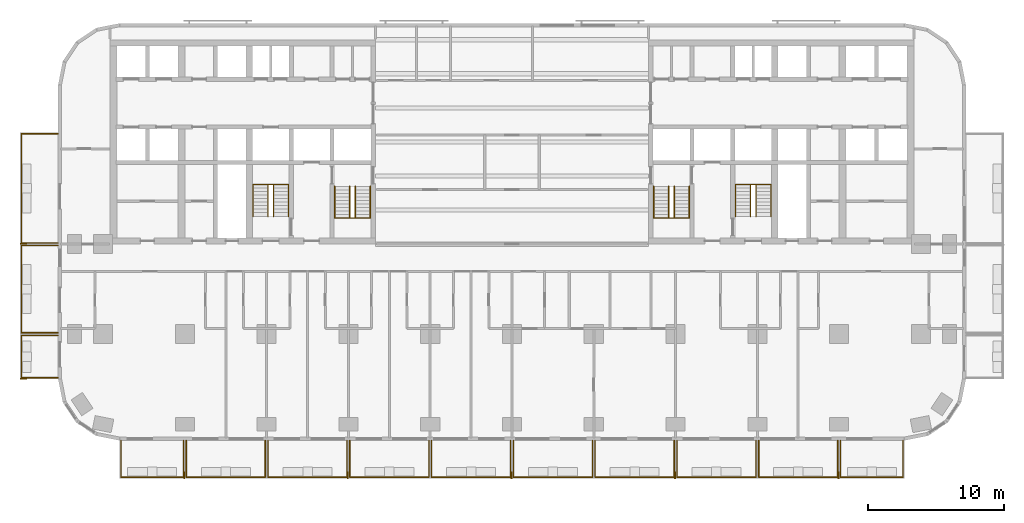
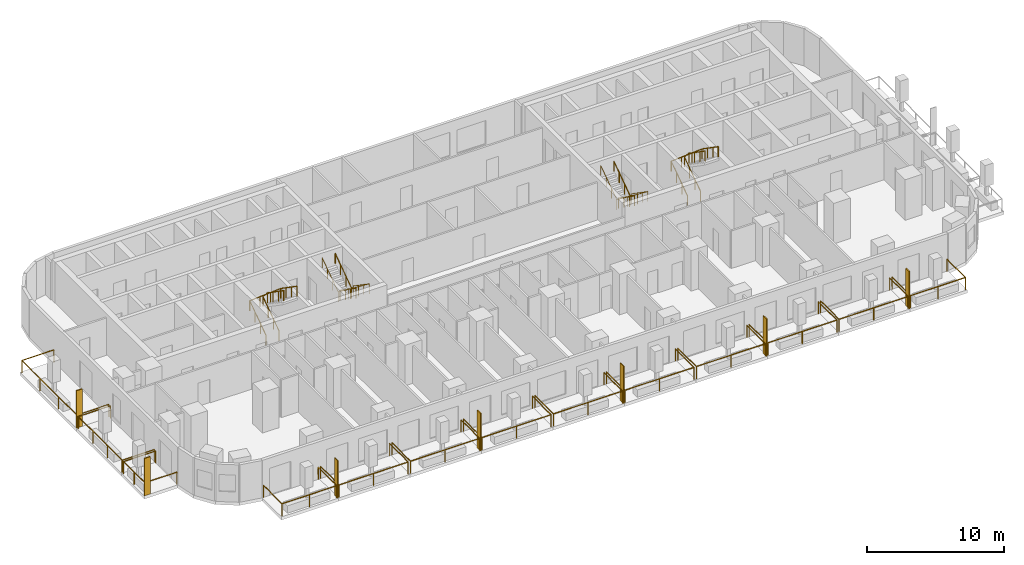
# One storey, part 12 of 14: 21 railings, 7 shading devices.
"""IFC4 building model written with IfcOpenShell, lengths in metres."""

from ifc_helpers import new_model, si_unit, direction, frame, origin, origin_2d, place, context, subcontext, project, spatial, rectangle, circle, extrude, material, layer, layer_set, type_object, element, save


model = new_model("IFC4")

# Units and contexts
model_context = context("Model", 3, precision=1e-05, world=origin(), true_north=direction((0.0, 1.0)))
body_context = subcontext(model_context, "Body", "Model", "MODEL_VIEW")
ifc_project = project(units=[si_unit("LENGTHUNIT", "METRE"), si_unit("AREAUNIT", "SQUARE_METRE"), si_unit("VOLUMEUNIT", "CUBIC_METRE"), si_unit("PLANEANGLEUNIT", "RADIAN"), si_unit("MASSUNIT", "GRAM", prefix="KILO")], contexts=[model_context])

# Site, building, storey
site_placement = place(None, origin())
site = spatial("IfcSite", under=ifc_project, at=site_placement, CompositionType="ELEMENT")
building_placement = place(site_placement, origin())
building = spatial("IfcBuilding", under=site, at=building_placement, Name="Torana Hotel and Residences", CompositionType="ELEMENT")
storey_placement = place(building_placement, frame((0.0, 0.0, 63.60009765625)))
storey = spatial("IfcBuildingStorey", under=building, at=storey_placement, Name="L15", CompositionType="ELEMENT", Elevation=63.60009765625)

# Shading devices
ifc_material_1 = material(Name="Black powder coated aluminium", Category="aluminium")
ifc_layer = layer(ifc_material_1, 0.080078125)
ifc_layer_set = layer_set([ifc_layer], Name="FN1 VERTICAL FIN 500x80")
shading_device_type = type_object("IfcShadingDeviceType", Name="FN1 VERTICAL FIN 500x80", PredefinedType="USERDEFINED", material=ifc_layer_set)
for number, where, z_axis, x_axis, name in (
    (1, (-24.0400390625, -31.949951171875, 0.0), (0.0, 0.0, 1.0), (-1.0, 0.0, 0.0), "Fin 01"),
    (2, (-12.0400390625, -31.949951171875, 0.0), (0.0, 0.0, 1.0), (-1.0, 0.0, 0.0), "Fin 03"),
    (3, (-0.0400390625, -31.949951171875, 0.0), (0.0, 0.0, 1.0), (-1.0, 0.0, 0.0), "Fin 05"),
    (4, (11.9599609375, -31.949951171875, 0.0), (0.0, 0.0, 1.0), (-1.0, 0.0, 0.0), "Fin 07"),
    (5, (23.9599609375, -31.949951171875, 0.0), (0.0, 0.0, 1.0), (-1.0, 0.0, 0.0), "Fin 09"),
    (6, (-35.85009765625, -24.860107421875, 0.0), (0.0, 0.0, 1.0), (0.0, 1.0, 0.0), "Fin 11"),
    (7, (-35.85009765625, -14.9599609375, 0.0), (0.0, 0.0, 1.0), (0.0, 1.0, 0.0), "Fin 13"),
):
    element("IfcShadingDevice", number, at=place(storey_placement, frame(where, z_axis=z_axis, x_axis=x_axis)), inside=storey, type_object=shading_device_type, Name=name, ObjectType="FIN", PredefinedType="USERDEFINED", context=body_context, shape_type="SweptSolid", body=[
        extrude(rectangle(XDim=0.080078125, YDim=0.5, at=origin_2d()), origin(), (0.0, 0.0, 1.0), 3.320068359375),
    ])

# Railings
ifc_material_2 = material(Name="Laminated glass balustrade with black handrail", Category="glass")
railing_type_1 = type_object("IfcRailingType", Name="GR1 BALCONY GUARD 1100 GLASS", PredefinedType="GUARDRAIL", material=ifc_material_2)
railing_1_placement = place(storey_placement, frame((-24.10009765625, -29.39990234375, 0.0)))
element("IfcRailing", 8, at=railing_1_placement, inside=storey, type_object=railing_type_1, Name="Balcony guard 01", PredefinedType="GUARDRAIL", context=body_context, shape_type="SweptSolid", body=[
    extrude(circle(Radius=0.02392578125, at=origin_2d()), frame((0.0, 0.0, 1.076171875), z_axis=(0.0, -1.0, 0.0), x_axis=(1.0, 0.0, 0.0)), (0.0, 0.0, 1.0), 2.7001953125),
    extrude(circle(Radius=0.02392578125, at=origin_2d()), frame((0.0, -2.7001953125, 1.076171875), z_axis=(-1.0, 0.0, 0.0), x_axis=(0.0, -1.0, 0.0)), (0.0, 0.0, 1.0), 4.599853515625),
    extrude(circle(Radius=0.02392578125, at=origin_2d()), frame((-4.599853515625, -2.7001953125, 1.076171875), z_axis=(0.0, 1.0, 0.0), x_axis=(-1.0, 0.0, 0.0)), (0.0, 0.0, 1.0), 2.7001953125),
    extrude(circle(Radius=0.02099609375, at=origin_2d()), origin(), (0.0, 0.0, 1.0), 1.052001953125),
    extrude(circle(Radius=0.02099609375, at=origin_2d()), frame((0.0, -2.7001953125, 0.0)), (0.0, 0.0, 1.0), 1.052001953125),
    extrude(circle(Radius=0.02099609375, at=origin_2d()), frame((-2.2998046875, -2.7001953125, 0.0)), (0.0, 0.0, 1.0), 1.052001953125),
    extrude(circle(Radius=0.02099609375, at=origin_2d()), frame((-4.599853515625, -2.7001953125, 0.0)), (0.0, 0.0, 1.0), 1.052001953125),
    extrude(circle(Radius=0.02099609375, at=origin_2d()), frame((-4.599853515625, 0.0, 0.0)), (0.0, 0.0, 1.0), 1.052001953125),
])
for number, where, name in (
    (9, (-18.10009765625, -29.39990234375, 0.0), "Balcony guard 02"),
    (10, (-12.10009765625, -29.39990234375, 0.0), "Balcony guard 03"),
    (11, (-6.10009765625, -29.39990234375, 0.0), "Balcony guard 04"),
    (12, (-0.10009765625, -29.39990234375, 0.0), "Balcony guard 05"),
    (13, (5.89990234375, -29.39990234375, 0.0), "Balcony guard 06"),
    (14, (11.89990234375, -29.39990234375, 0.0), "Balcony guard 07"),
    (15, (17.89990234375, -29.39990234375, 0.0), "Balcony guard 08"),
    (16, (23.89990234375, -29.39990234375, 0.0), "Balcony guard 09"),
):
    element("IfcRailing", number, at=place(storey_placement, frame(where)), inside=storey, type_object=railing_type_1, Name=name, PredefinedType="GUARDRAIL", context=body_context, shape_type="SweptSolid", body=[
        extrude(circle(Radius=0.02392578125, at=origin_2d()), frame((0.0, 0.0, 1.076171875), z_axis=(0.0, -1.0, 0.0), x_axis=(1.0, 0.0, 0.0)), (0.0, 0.0, 1.0), 2.7001953125),
        extrude(circle(Radius=0.02392578125, at=origin_2d()), frame((0.0, -2.7001953125, 1.076171875), z_axis=(-1.0, 0.0, 0.0), x_axis=(0.0, -1.0, 0.0)), (0.0, 0.0, 1.0), 5.7998046875),
        extrude(circle(Radius=0.02392578125, at=origin_2d()), frame((-5.7998046875, -2.7001953125, 1.076171875), z_axis=(0.0, 1.0, 0.0), x_axis=(-1.0, 0.0, 0.0)), (0.0, 0.0, 1.0), 2.7001953125),
        extrude(circle(Radius=0.02099609375, at=origin_2d()), origin(), (0.0, 0.0, 1.0), 1.052001953125),
        extrude(circle(Radius=0.02099609375, at=origin_2d()), frame((0.0, -2.7001953125, 0.0)), (0.0, 0.0, 1.0), 1.052001953125),
        extrude(circle(Radius=0.02099609375, at=origin_2d()), frame((-2.89990234375, -2.7001953125, 0.0)), (0.0, 0.0, 1.0), 1.052001953125),
        extrude(circle(Radius=0.02099609375, at=origin_2d()), frame((-5.7998046875, -2.7001953125, 0.0)), (0.0, 0.0, 1.0), 1.052001953125),
        extrude(circle(Radius=0.02099609375, at=origin_2d()), frame((-5.7998046875, 0.0, 0.0)), (0.0, 0.0, 1.0), 1.052001953125),
    ])
railing_2_placement = place(storey_placement, frame((28.699951171875, -29.39990234375, 0.0)))
element("IfcRailing", 17, at=railing_2_placement, inside=storey, type_object=railing_type_1, Name="Balcony guard 10", PredefinedType="GUARDRAIL", context=body_context, shape_type="SweptSolid", body=[
    extrude(circle(Radius=0.02392578125, at=origin_2d()), frame((0.0, 0.0, 1.076171875), z_axis=(0.0, -1.0, 0.0), x_axis=(1.0, 0.0, 0.0)), (0.0, 0.0, 1.0), 2.7001953125),
    extrude(circle(Radius=0.02392578125, at=origin_2d()), frame((0.0, -2.7001953125, 1.076171875), z_axis=(-1.0, 0.0, 0.0), x_axis=(0.0, -1.0, 0.0)), (0.0, 0.0, 1.0), 4.599853515625),
    extrude(circle(Radius=0.02392578125, at=origin_2d()), frame((-4.599853515625, -2.7001953125, 1.076171875), z_axis=(0.0, 1.0, 0.0), x_axis=(-1.0, 0.0, 0.0)), (0.0, 0.0, 1.0), 2.7001953125),
    extrude(circle(Radius=0.02099609375, at=origin_2d()), origin(), (0.0, 0.0, 1.0), 1.052001953125),
    extrude(circle(Radius=0.02099609375, at=origin_2d()), frame((0.0, -2.7001953125, 0.0)), (0.0, 0.0, 1.0), 1.052001953125),
    extrude(circle(Radius=0.02099609375, at=origin_2d()), frame((-2.2998046875, -2.7001953125, 0.0)), (0.0, 0.0, 1.0), 1.052001953125),
    extrude(circle(Radius=0.02099609375, at=origin_2d()), frame((-4.599853515625, -2.7001953125, 0.0)), (0.0, 0.0, 1.0), 1.052001953125),
    extrude(circle(Radius=0.02099609375, at=origin_2d()), frame((-4.599853515625, 0.0, 0.0)), (0.0, 0.0, 1.0), 1.052001953125),
])
railing_3_placement = place(storey_placement, frame((-33.300048828125, -24.800048828125, 0.0)))
element("IfcRailing", 18, at=railing_3_placement, inside=storey, type_object=railing_type_1, Name="Balcony guard 11", PredefinedType="GUARDRAIL", context=body_context, shape_type="SweptSolid", body=[
    extrude(circle(Radius=0.02392578125, at=origin_2d()), frame((0.0, 0.0, 1.076171875), z_axis=(-1.0, 0.0, 0.0), x_axis=(0.0, -1.0, 0.0)), (0.0, 0.0, 1.0), 2.699951171875),
    extrude(circle(Radius=0.02392578125, at=origin_2d()), frame((-2.699951171875, 0.0, 1.076171875), z_axis=(0.0, 1.0, 0.0), x_axis=(-1.0, 0.0, 0.0)), (0.0, 0.0, 1.0), 3.10009765625),
    extrude(circle(Radius=0.02392578125, at=origin_2d()), frame((-2.699951171875, 3.10009765625, 1.076171875), z_axis=(1.0, 0.0, 0.0), x_axis=(0.0, 1.0, 0.0)), (0.0, 0.0, 1.0), 2.699951171875),
    extrude(circle(Radius=0.02099609375, at=origin_2d()), origin(), (0.0, 0.0, 1.0), 1.052001953125),
    extrude(circle(Radius=0.02099609375, at=origin_2d()), frame((-2.699951171875, 0.0, 0.0)), (0.0, 0.0, 1.0), 1.052001953125),
    extrude(circle(Radius=0.02099609375, at=origin_2d()), frame((-2.699951171875, 1.550048828125, 0.0)), (0.0, 0.0, 1.0), 1.052001953125),
    extrude(circle(Radius=0.02099609375, at=origin_2d()), frame((-2.699951171875, 3.10009765625, 0.0)), (0.0, 0.0, 1.0), 1.052001953125),
    extrude(circle(Radius=0.02099609375, at=origin_2d()), frame((0.0, 3.10009765625, 0.0)), (0.0, 0.0, 1.0), 1.052001953125),
])
railing_4_placement = place(storey_placement, frame((-33.300048828125, -21.5, 0.0)))
element("IfcRailing", 19, at=railing_4_placement, inside=storey, type_object=railing_type_1, Name="Balcony guard 12", PredefinedType="GUARDRAIL", context=body_context, shape_type="SweptSolid", body=[
    extrude(circle(Radius=0.02392578125, at=origin_2d()), frame((0.0, 0.0, 1.076171875), z_axis=(-1.0, 0.0, 0.0), x_axis=(0.0, -1.0, 0.0)), (0.0, 0.0, 1.0), 2.699951171875),
    extrude(circle(Radius=0.02392578125, at=origin_2d()), frame((-2.699951171875, 0.0, 1.076171875), z_axis=(0.0, 1.0, 0.0), x_axis=(-1.0, 0.0, 0.0)), (0.0, 0.0, 1.0), 6.39990234375),
    extrude(circle(Radius=0.02392578125, at=origin_2d()), frame((-2.699951171875, 6.39990234375, 1.076171875), z_axis=(1.0, 0.0, 0.0), x_axis=(0.0, 1.0, 0.0)), (0.0, 0.0, 1.0), 2.699951171875),
    extrude(circle(Radius=0.02099609375, at=origin_2d()), origin(), (0.0, 0.0, 1.0), 1.052001953125),
    extrude(circle(Radius=0.02099609375, at=origin_2d()), frame((-2.699951171875, 0.0, 0.0)), (0.0, 0.0, 1.0), 1.052001953125),
    extrude(circle(Radius=0.02099609375, at=origin_2d()), frame((-2.699951171875, 2.13330078125, 0.0)), (0.0, 0.0, 1.0), 1.052001953125),
    extrude(circle(Radius=0.02099609375, at=origin_2d()), frame((-2.699951171875, 4.2666015625, 0.0)), (0.0, 0.0, 1.0), 1.052001953125),
    extrude(circle(Radius=0.02099609375, at=origin_2d()), frame((-2.699951171875, 6.39990234375, 0.0)), (0.0, 0.0, 1.0), 1.052001953125),
    extrude(circle(Radius=0.02099609375, at=origin_2d()), frame((0.0, 6.39990234375, 0.0)), (0.0, 0.0, 1.0), 1.052001953125),
])
railing_5_placement = place(storey_placement, frame((-33.300048828125, -14.89990234375, 0.0)))
element("IfcRailing", 20, at=railing_5_placement, inside=storey, type_object=railing_type_1, Name="Balcony guard 13", PredefinedType="GUARDRAIL", context=body_context, shape_type="SweptSolid", body=[
    extrude(circle(Radius=0.02392578125, at=origin_2d()), frame((0.0, 0.0, 1.076171875), z_axis=(-1.0, 0.0, 0.0), x_axis=(0.0, -1.0, 0.0)), (0.0, 0.0, 1.0), 2.699951171875),
    extrude(circle(Radius=0.02392578125, at=origin_2d()), frame((-2.699951171875, 0.0, 1.076171875), z_axis=(0.0, 1.0, 0.0), x_axis=(-1.0, 0.0, 0.0)), (0.0, 0.0, 1.0), 8.0),
    extrude(circle(Radius=0.02392578125, at=origin_2d()), frame((-2.699951171875, 8.0, 1.076171875), z_axis=(1.0, 0.0, 0.0), x_axis=(0.0, 1.0, 0.0)), (0.0, 0.0, 1.0), 2.699951171875),
    extrude(circle(Radius=0.02099609375, at=origin_2d()), origin(), (0.0, 0.0, 1.0), 1.052001953125),
    extrude(circle(Radius=0.02099609375, at=origin_2d()), frame((-2.699951171875, 0.0, 0.0)), (0.0, 0.0, 1.0), 1.052001953125),
    extrude(circle(Radius=0.02099609375, at=origin_2d()), frame((-2.699951171875, 2.666748046875, 0.0)), (0.0, 0.0, 1.0), 1.052001953125),
    extrude(circle(Radius=0.02099609375, at=origin_2d()), frame((-2.699951171875, 5.333251953125, 0.0)), (0.0, 0.0, 1.0), 1.052001953125),
    extrude(circle(Radius=0.02099609375, at=origin_2d()), frame((-2.699951171875, 8.0, 0.0)), (0.0, 0.0, 1.0), 1.052001953125),
    extrude(circle(Radius=0.02099609375, at=origin_2d()), frame((0.0, 8.0, 0.0)), (0.0, 0.0, 1.0), 1.052001953125),
])
ifc_material_3 = material(Name="Stainless steel 316", Category="steel")
railing_type_2 = type_object("IfcRailingType", Name="STAIR HANDRAIL HR1 900", PredefinedType="HANDRAIL", material=ifc_material_3)
railing_6_placement = place(storey_placement, frame((-10.39990234375, -10.75, 0.179931640625)))
element("IfcRailing", 21, at=railing_6_placement, inside=storey, type_object=railing_type_2, Name="Handrail ST1 L15 O1", PredefinedType="HANDRAIL", context=body_context, shape_type="SweptSolid", body=[
    extrude(circle(Radius=0.02392578125, at=origin_2d()), frame((0.0, 0.0, 0.8759765625), z_axis=(0.0, -0.822223072051, 0.569165371211), x_axis=(1.0, 0.0, 0.0)), (0.0, 0.0, 1.0), 2.845947265625),
    extrude(circle(Radius=0.02392578125, at=origin_2d()), frame((0.0, -2.340087890625, 2.49560546875), z_axis=(-0.997607660209, 0.0, 0.069129995609), x_axis=(0.0, -1.0, 0.0)), (0.0, 0.0, 1.0), 2.6064453125),
    extrude(circle(Radius=0.02392578125, at=origin_2d()), frame((-2.60009765625, -2.340087890625, 2.67578125), z_axis=(0.0, 0.822223072051, 0.569165371211), x_axis=(-1.0, 0.0, 0.0)), (0.0, 0.0, 1.0), 2.845947265625),
    extrude(circle(Radius=0.02099609375, at=origin_2d()), origin(), (0.0, 0.0, 1.0), 0.851806640625),
    extrude(circle(Radius=0.02099609375, at=origin_2d()), frame((0.0, -0.780029296875, 0.5400390625)), (0.0, 0.0, 1.0), 0.851806640625),
    extrude(circle(Radius=0.02099609375, at=origin_2d()), frame((0.0, -1.56005859375, 1.079833984375)), (0.0, 0.0, 1.0), 0.851806640625),
    extrude(circle(Radius=0.02099609375, at=origin_2d()), frame((0.0, -2.340087890625, 1.619873046875)), (0.0, 0.0, 1.0), 0.851806640625),
    extrude(circle(Radius=0.02099609375, at=origin_2d()), frame((-0.86669921875, -2.340087890625, 1.679931640625)), (0.0, 0.0, 1.0), 0.851806640625),
    extrude(circle(Radius=0.02099609375, at=origin_2d()), frame((-1.7333984375, -2.340087890625, 1.739990234375)), (0.0, 0.0, 1.0), 0.851806640625),
    extrude(circle(Radius=0.02099609375, at=origin_2d()), frame((-2.60009765625, -2.340087890625, 1.800048828125)), (0.0, 0.0, 1.0), 0.851806640625),
    extrude(circle(Radius=0.02099609375, at=origin_2d()), frame((-2.60009765625, -1.56005859375, 2.340087890625)), (0.0, 0.0, 1.0), 0.851806640625),
    extrude(circle(Radius=0.02099609375, at=origin_2d()), frame((-2.60009765625, -0.780029296875, 2.8798828125)), (0.0, 0.0, 1.0), 0.851806640625),
    extrude(circle(Radius=0.02099609375, at=origin_2d()), frame((-2.60009765625, 0.0, 3.419921875)), (0.0, 0.0, 1.0), 0.851806640625),
])
railing_7_placement = place(storey_placement, frame((-11.5, -10.75, 0.179931640625)))
element("IfcRailing", 22, at=railing_7_placement, inside=storey, type_object=railing_type_2, Name="Handrail ST1 L15 I1", PredefinedType="HANDRAIL", context=body_context, shape_type="SweptSolid", body=[
    extrude(circle(Radius=0.02392578125, at=origin_2d()), frame((0.0, 0.0, 0.8759765625), z_axis=(0.0, -0.822223072051, 0.569165371211), x_axis=(1.0, 0.0, 0.0)), (0.0, 0.0, 1.0), 2.845947265625),
    extrude(circle(Radius=0.02392578125, at=origin_2d()), frame((0.0, -2.340087890625, 2.49560546875), z_axis=(-0.911733943306, 0.0, 0.410781227204), x_axis=(0.0, -1.0, 0.0)), (0.0, 0.0, 1.0), 0.438720703125),
    extrude(circle(Radius=0.02392578125, at=origin_2d()), frame((-0.39990234375, -2.340087890625, 2.67578125), z_axis=(0.0, 0.822223072051, 0.569165371211), x_axis=(-1.0, 0.0, 0.0)), (0.0, 0.0, 1.0), 2.845947265625),
    extrude(circle(Radius=0.02099609375, at=origin_2d()), origin(), (0.0, 0.0, 1.0), 0.851806640625),
    extrude(circle(Radius=0.02099609375, at=origin_2d()), frame((0.0, -0.780029296875, 0.5400390625)), (0.0, 0.0, 1.0), 0.851806640625),
    extrude(circle(Radius=0.02099609375, at=origin_2d()), frame((0.0, -1.56005859375, 1.079833984375)), (0.0, 0.0, 1.0), 0.851806640625),
    extrude(circle(Radius=0.02099609375, at=origin_2d()), frame((0.0, -2.340087890625, 1.619873046875)), (0.0, 0.0, 1.0), 0.851806640625),
    extrude(circle(Radius=0.02099609375, at=origin_2d()), frame((-0.39990234375, -2.340087890625, 1.800048828125)), (0.0, 0.0, 1.0), 0.851806640625),
    extrude(circle(Radius=0.02099609375, at=origin_2d()), frame((-0.39990234375, -1.56005859375, 2.340087890625)), (0.0, 0.0, 1.0), 0.851806640625),
    extrude(circle(Radius=0.02099609375, at=origin_2d()), frame((-0.39990234375, -0.780029296875, 2.8798828125)), (0.0, 0.0, 1.0), 0.851806640625),
    extrude(circle(Radius=0.02099609375, at=origin_2d()), frame((-0.39990234375, 0.0, 3.419921875)), (0.0, 0.0, 1.0), 0.851806640625),
])
railing_8_placement = place(storey_placement, frame((-19.0, -12.949951171875, 0.179931640625)))
element("IfcRailing", 23, at=railing_8_placement, inside=storey, type_object=railing_type_2, Name="Handrail ST2 L15 O1", PredefinedType="HANDRAIL", context=body_context, shape_type="SweptSolid", body=[
    extrude(circle(Radius=0.02392578125, at=origin_2d()), frame((0.0, 0.0, 0.8759765625), z_axis=(0.0, 0.822195280011, 0.569205517829), x_axis=(-1.0, 0.0, 0.0)), (0.0, 0.0, 1.0), 2.845947265625),
    extrude(circle(Radius=0.02392578125, at=origin_2d()), frame((0.0, 2.33984375, 2.49560546875), z_axis=(0.997607660209, 0.0, 0.069129995609), x_axis=(0.0, 1.0, 0.0)), (0.0, 0.0, 1.0), 2.6064453125),
    extrude(circle(Radius=0.02392578125, at=origin_2d()), frame((2.60009765625, 2.33984375, 2.67578125), z_axis=(0.0, -0.822195280011, 0.569205517829), x_axis=(1.0, 0.0, 0.0)), (0.0, 0.0, 1.0), 2.845947265625),
    extrude(circle(Radius=0.02099609375, at=origin_2d()), origin(), (0.0, 0.0, 1.0), 0.851806640625),
    extrude(circle(Radius=0.02099609375, at=origin_2d()), frame((0.0, 0.780029296875, 0.5400390625)), (0.0, 0.0, 1.0), 0.851806640625),
    extrude(circle(Radius=0.02099609375, at=origin_2d()), frame((0.0, 1.559814453125, 1.079833984375)), (0.0, 0.0, 1.0), 0.851806640625),
    extrude(circle(Radius=0.02099609375, at=origin_2d()), frame((0.0, 2.33984375, 1.619873046875)), (0.0, 0.0, 1.0), 0.851806640625),
    extrude(circle(Radius=0.02099609375, at=origin_2d()), frame((0.86669921875, 2.33984375, 1.679931640625)), (0.0, 0.0, 1.0), 0.851806640625),
    extrude(circle(Radius=0.02099609375, at=origin_2d()), frame((1.7333984375, 2.33984375, 1.739990234375)), (0.0, 0.0, 1.0), 0.851806640625),
    extrude(circle(Radius=0.02099609375, at=origin_2d()), frame((2.60009765625, 2.33984375, 1.800048828125)), (0.0, 0.0, 1.0), 0.851806640625),
    extrude(circle(Radius=0.02099609375, at=origin_2d()), frame((2.60009765625, 1.559814453125, 2.340087890625)), (0.0, 0.0, 1.0), 0.851806640625),
    extrude(circle(Radius=0.02099609375, at=origin_2d()), frame((2.60009765625, 0.780029296875, 2.8798828125)), (0.0, 0.0, 1.0), 0.851806640625),
    extrude(circle(Radius=0.02099609375, at=origin_2d()), frame((2.60009765625, 0.0, 3.419921875)), (0.0, 0.0, 1.0), 0.851806640625),
])
railing_9_placement = place(storey_placement, frame((-17.89990234375, -12.949951171875, 0.179931640625)))
element("IfcRailing", 24, at=railing_9_placement, inside=storey, type_object=railing_type_2, Name="Handrail ST2 L15 I1", PredefinedType="HANDRAIL", context=body_context, shape_type="SweptSolid", body=[
    extrude(circle(Radius=0.02392578125, at=origin_2d()), frame((0.0, 0.0, 0.8759765625), z_axis=(0.0, 0.822195280011, 0.569205517829), x_axis=(-1.0, 0.0, 0.0)), (0.0, 0.0, 1.0), 2.845947265625),
    extrude(circle(Radius=0.02392578125, at=origin_2d()), frame((0.0, 2.33984375, 2.49560546875), z_axis=(0.911733943306, 0.0, 0.410781227204), x_axis=(0.0, 1.0, 0.0)), (0.0, 0.0, 1.0), 0.438720703125),
    extrude(circle(Radius=0.02392578125, at=origin_2d()), frame((0.39990234375, 2.33984375, 2.67578125), z_axis=(0.0, -0.822195280011, 0.569205517829), x_axis=(1.0, 0.0, 0.0)), (0.0, 0.0, 1.0), 2.845947265625),
    extrude(circle(Radius=0.02099609375, at=origin_2d()), origin(), (0.0, 0.0, 1.0), 0.851806640625),
    extrude(circle(Radius=0.02099609375, at=origin_2d()), frame((0.0, 0.780029296875, 0.5400390625)), (0.0, 0.0, 1.0), 0.851806640625),
    extrude(circle(Radius=0.02099609375, at=origin_2d()), frame((0.0, 1.559814453125, 1.079833984375)), (0.0, 0.0, 1.0), 0.851806640625),
    extrude(circle(Radius=0.02099609375, at=origin_2d()), frame((0.0, 2.33984375, 1.619873046875)), (0.0, 0.0, 1.0), 0.851806640625),
    extrude(circle(Radius=0.02099609375, at=origin_2d()), frame((0.39990234375, 2.33984375, 1.800048828125)), (0.0, 0.0, 1.0), 0.851806640625),
    extrude(circle(Radius=0.02099609375, at=origin_2d()), frame((0.39990234375, 1.559814453125, 2.340087890625)), (0.0, 0.0, 1.0), 0.851806640625),
    extrude(circle(Radius=0.02099609375, at=origin_2d()), frame((0.39990234375, 0.780029296875, 2.8798828125)), (0.0, 0.0, 1.0), 0.851806640625),
    extrude(circle(Radius=0.02099609375, at=origin_2d()), frame((0.39990234375, 0.0, 3.419921875)), (0.0, 0.0, 1.0), 0.851806640625),
])
railing_10_placement = place(storey_placement, frame((13.0, -10.75, 0.179931640625)))
element("IfcRailing", 25, at=railing_10_placement, inside=storey, type_object=railing_type_2, Name="Handrail ST3 L15 O1", PredefinedType="HANDRAIL", context=body_context, shape_type="SweptSolid", body=[
    extrude(circle(Radius=0.02392578125, at=origin_2d()), frame((0.0, 0.0, 0.8759765625), z_axis=(0.0, -0.822223072051, 0.569165371211), x_axis=(1.0, 0.0, 0.0)), (0.0, 0.0, 1.0), 2.845947265625),
    extrude(circle(Radius=0.02392578125, at=origin_2d()), frame((0.0, -2.340087890625, 2.49560546875), z_axis=(-0.997607660209, 0.0, 0.069129995609), x_axis=(0.0, -1.0, 0.0)), (0.0, 0.0, 1.0), 2.6064453125),
    extrude(circle(Radius=0.02392578125, at=origin_2d()), frame((-2.60009765625, -2.340087890625, 2.67578125), z_axis=(0.0, 0.822223072051, 0.569165371211), x_axis=(-1.0, 0.0, 0.0)), (0.0, 0.0, 1.0), 2.845947265625),
    extrude(circle(Radius=0.02099609375, at=origin_2d()), origin(), (0.0, 0.0, 1.0), 0.851806640625),
    extrude(circle(Radius=0.02099609375, at=origin_2d()), frame((0.0, -0.780029296875, 0.5400390625)), (0.0, 0.0, 1.0), 0.851806640625),
    extrude(circle(Radius=0.02099609375, at=origin_2d()), frame((0.0, -1.56005859375, 1.079833984375)), (0.0, 0.0, 1.0), 0.851806640625),
    extrude(circle(Radius=0.02099609375, at=origin_2d()), frame((0.0, -2.340087890625, 1.619873046875)), (0.0, 0.0, 1.0), 0.851806640625),
    extrude(circle(Radius=0.02099609375, at=origin_2d()), frame((-0.86669921875, -2.340087890625, 1.679931640625)), (0.0, 0.0, 1.0), 0.851806640625),
    extrude(circle(Radius=0.02099609375, at=origin_2d()), frame((-1.7333984375, -2.340087890625, 1.739990234375)), (0.0, 0.0, 1.0), 0.851806640625),
    extrude(circle(Radius=0.02099609375, at=origin_2d()), frame((-2.60009765625, -2.340087890625, 1.800048828125)), (0.0, 0.0, 1.0), 0.851806640625),
    extrude(circle(Radius=0.02099609375, at=origin_2d()), frame((-2.60009765625, -1.56005859375, 2.340087890625)), (0.0, 0.0, 1.0), 0.851806640625),
    extrude(circle(Radius=0.02099609375, at=origin_2d()), frame((-2.60009765625, -0.780029296875, 2.8798828125)), (0.0, 0.0, 1.0), 0.851806640625),
    extrude(circle(Radius=0.02099609375, at=origin_2d()), frame((-2.60009765625, 0.0, 3.419921875)), (0.0, 0.0, 1.0), 0.851806640625),
])
railing_11_placement = place(storey_placement, frame((11.89990234375, -10.75, 0.179931640625)))
element("IfcRailing", 26, at=railing_11_placement, inside=storey, type_object=railing_type_2, Name="Handrail ST3 L15 I1", PredefinedType="HANDRAIL", context=body_context, shape_type="SweptSolid", body=[
    extrude(circle(Radius=0.02392578125, at=origin_2d()), frame((0.0, 0.0, 0.8759765625), z_axis=(0.0, -0.822223072051, 0.569165371211), x_axis=(1.0, 0.0, 0.0)), (0.0, 0.0, 1.0), 2.845947265625),
    extrude(circle(Radius=0.02392578125, at=origin_2d()), frame((0.0, -2.340087890625, 2.49560546875), z_axis=(-0.911733943306, 0.0, 0.410781227204), x_axis=(0.0, -1.0, 0.0)), (0.0, 0.0, 1.0), 0.438720703125),
    extrude(circle(Radius=0.02392578125, at=origin_2d()), frame((-0.39990234375, -2.340087890625, 2.67578125), z_axis=(0.0, 0.822223072051, 0.569165371211), x_axis=(-1.0, 0.0, 0.0)), (0.0, 0.0, 1.0), 2.845947265625),
    extrude(circle(Radius=0.02099609375, at=origin_2d()), origin(), (0.0, 0.0, 1.0), 0.851806640625),
    extrude(circle(Radius=0.02099609375, at=origin_2d()), frame((0.0, -0.780029296875, 0.5400390625)), (0.0, 0.0, 1.0), 0.851806640625),
    extrude(circle(Radius=0.02099609375, at=origin_2d()), frame((0.0, -1.56005859375, 1.079833984375)), (0.0, 0.0, 1.0), 0.851806640625),
    extrude(circle(Radius=0.02099609375, at=origin_2d()), frame((0.0, -2.340087890625, 1.619873046875)), (0.0, 0.0, 1.0), 0.851806640625),
    extrude(circle(Radius=0.02099609375, at=origin_2d()), frame((-0.39990234375, -2.340087890625, 1.800048828125)), (0.0, 0.0, 1.0), 0.851806640625),
    extrude(circle(Radius=0.02099609375, at=origin_2d()), frame((-0.39990234375, -1.56005859375, 2.340087890625)), (0.0, 0.0, 1.0), 0.851806640625),
    extrude(circle(Radius=0.02099609375, at=origin_2d()), frame((-0.39990234375, -0.780029296875, 2.8798828125)), (0.0, 0.0, 1.0), 0.851806640625),
    extrude(circle(Radius=0.02099609375, at=origin_2d()), frame((-0.39990234375, 0.0, 3.419921875)), (0.0, 0.0, 1.0), 0.851806640625),
])
railing_12_placement = place(storey_placement, frame((16.39990234375, -12.949951171875, 0.179931640625)))
element("IfcRailing", 27, at=railing_12_placement, inside=storey, type_object=railing_type_2, Name="Handrail ST4 L15 O1", PredefinedType="HANDRAIL", context=body_context, shape_type="SweptSolid", body=[
    extrude(circle(Radius=0.02392578125, at=origin_2d()), frame((0.0, 0.0, 0.8759765625), z_axis=(0.0, 0.822195280011, 0.569205517829), x_axis=(-1.0, 0.0, 0.0)), (0.0, 0.0, 1.0), 2.845947265625),
    extrude(circle(Radius=0.02392578125, at=origin_2d()), frame((0.0, 2.33984375, 2.49560546875), z_axis=(0.997607660209, 0.0, 0.069129995609), x_axis=(0.0, 1.0, 0.0)), (0.0, 0.0, 1.0), 2.6064453125),
    extrude(circle(Radius=0.02392578125, at=origin_2d()), frame((2.60009765625, 2.33984375, 2.67578125), z_axis=(0.0, -0.822195280011, 0.569205517829), x_axis=(1.0, 0.0, 0.0)), (0.0, 0.0, 1.0), 2.845947265625),
    extrude(circle(Radius=0.02099609375, at=origin_2d()), origin(), (0.0, 0.0, 1.0), 0.851806640625),
    extrude(circle(Radius=0.02099609375, at=origin_2d()), frame((0.0, 0.780029296875, 0.5400390625)), (0.0, 0.0, 1.0), 0.851806640625),
    extrude(circle(Radius=0.02099609375, at=origin_2d()), frame((0.0, 1.559814453125, 1.079833984375)), (0.0, 0.0, 1.0), 0.851806640625),
    extrude(circle(Radius=0.02099609375, at=origin_2d()), frame((0.0, 2.33984375, 1.619873046875)), (0.0, 0.0, 1.0), 0.851806640625),
    extrude(circle(Radius=0.02099609375, at=origin_2d()), frame((0.86669921875, 2.33984375, 1.679931640625)), (0.0, 0.0, 1.0), 0.851806640625),
    extrude(circle(Radius=0.02099609375, at=origin_2d()), frame((1.7333984375, 2.33984375, 1.739990234375)), (0.0, 0.0, 1.0), 0.851806640625),
    extrude(circle(Radius=0.02099609375, at=origin_2d()), frame((2.60009765625, 2.33984375, 1.800048828125)), (0.0, 0.0, 1.0), 0.851806640625),
    extrude(circle(Radius=0.02099609375, at=origin_2d()), frame((2.60009765625, 1.559814453125, 2.340087890625)), (0.0, 0.0, 1.0), 0.851806640625),
    extrude(circle(Radius=0.02099609375, at=origin_2d()), frame((2.60009765625, 0.780029296875, 2.8798828125)), (0.0, 0.0, 1.0), 0.851806640625),
    extrude(circle(Radius=0.02099609375, at=origin_2d()), frame((2.60009765625, 0.0, 3.419921875)), (0.0, 0.0, 1.0), 0.851806640625),
])
railing_13_placement = place(storey_placement, frame((17.5, -12.949951171875, 0.179931640625)))
element("IfcRailing", 28, at=railing_13_placement, inside=storey, type_object=railing_type_2, Name="Handrail ST4 L15 I1", PredefinedType="HANDRAIL", context=body_context, shape_type="SweptSolid", body=[
    extrude(circle(Radius=0.02392578125, at=origin_2d()), frame((0.0, 0.0, 0.8759765625), z_axis=(0.0, 0.822195280011, 0.569205517829), x_axis=(-1.0, 0.0, 0.0)), (0.0, 0.0, 1.0), 2.845947265625),
    extrude(circle(Radius=0.02392578125, at=origin_2d()), frame((0.0, 2.33984375, 2.49560546875), z_axis=(0.911733943306, 0.0, 0.410781227204), x_axis=(0.0, 1.0, 0.0)), (0.0, 0.0, 1.0), 0.438720703125),
    extrude(circle(Radius=0.02392578125, at=origin_2d()), frame((0.39990234375, 2.33984375, 2.67578125), z_axis=(0.0, -0.822195280011, 0.569205517829), x_axis=(1.0, 0.0, 0.0)), (0.0, 0.0, 1.0), 2.845947265625),
    extrude(circle(Radius=0.02099609375, at=origin_2d()), origin(), (0.0, 0.0, 1.0), 0.851806640625),
    extrude(circle(Radius=0.02099609375, at=origin_2d()), frame((0.0, 0.780029296875, 0.5400390625)), (0.0, 0.0, 1.0), 0.851806640625),
    extrude(circle(Radius=0.02099609375, at=origin_2d()), frame((0.0, 1.559814453125, 1.079833984375)), (0.0, 0.0, 1.0), 0.851806640625),
    extrude(circle(Radius=0.02099609375, at=origin_2d()), frame((0.0, 2.33984375, 1.619873046875)), (0.0, 0.0, 1.0), 0.851806640625),
    extrude(circle(Radius=0.02099609375, at=origin_2d()), frame((0.39990234375, 2.33984375, 1.800048828125)), (0.0, 0.0, 1.0), 0.851806640625),
    extrude(circle(Radius=0.02099609375, at=origin_2d()), frame((0.39990234375, 1.559814453125, 2.340087890625)), (0.0, 0.0, 1.0), 0.851806640625),
    extrude(circle(Radius=0.02099609375, at=origin_2d()), frame((0.39990234375, 0.780029296875, 2.8798828125)), (0.0, 0.0, 1.0), 0.851806640625),
    extrude(circle(Radius=0.02099609375, at=origin_2d()), frame((0.39990234375, 0.0, 3.419921875)), (0.0, 0.0, 1.0), 0.851806640625),
])

save(model, "model.ifc")
